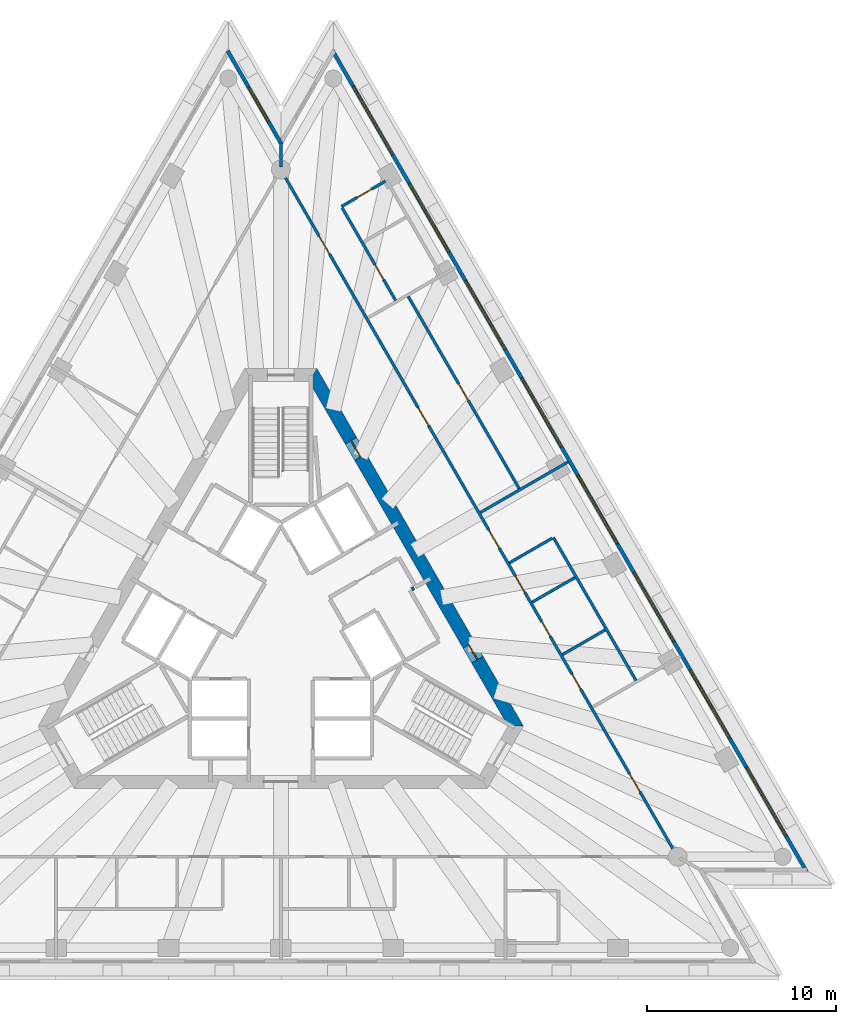
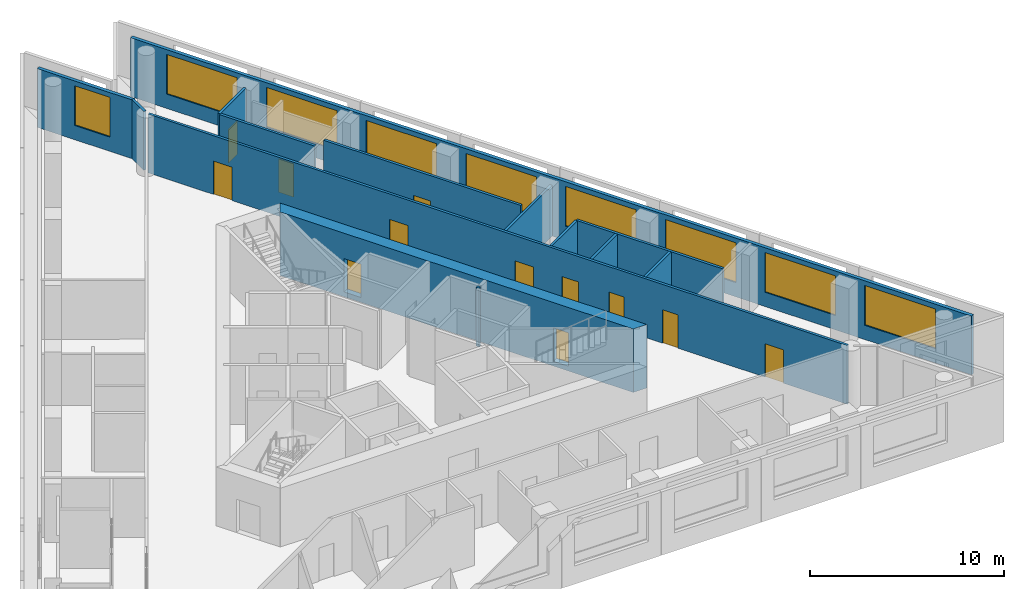
# One storey, part 6 of 9: 14 walls, 12 doors, 9 windows, 21 openings.
"""IFC4 building model written with IfcOpenShell, lengths in metres."""

from ifc_helpers import new_model, si_unit, direction, frame, frame_2d, origin, place, context, subcontext, project, spatial, polyline, rectangle, outline, extrude, material, layer, layer_set, layer_usage, type_object, element, fill, save


model = new_model("IFC4")

# Units and contexts
model_context = context("Model", 3, precision=1e-05, world=origin(), true_north=direction((0.0, 1.0)))
body_context = subcontext(model_context, "Body", "Model", "MODEL_VIEW")
ifc_project = project(units=[si_unit("LENGTHUNIT", "METRE"), si_unit("AREAUNIT", "SQUARE_METRE"), si_unit("VOLUMEUNIT", "CUBIC_METRE"), si_unit("PLANEANGLEUNIT", "RADIAN"), si_unit("MASSUNIT", "GRAM", prefix="KILO")], contexts=[model_context])

# Site, building, storey
site_placement = place(None, origin())
site = spatial("IfcSite", under=ifc_project, at=site_placement, CompositionType="ELEMENT")
building_placement = place(site_placement, origin())
building = spatial("IfcBuilding", under=site, at=building_placement, Name="Triada Interchange Tower", CompositionType="ELEMENT")
storey_placement = place(building_placement, frame((0.0, 0.0, 235.300048828125)))
storey = spatial("IfcBuildingStorey", under=building, at=storey_placement, Name="L55", CompositionType="ELEMENT", Elevation=235.300048828125)

# Wall
ifc_material_1 = material(Name="Concrete C30/37", Category="concrete")
ifc_layer_1 = layer(ifc_material_1, 0.199951171875)
ifc_layer_set_1 = layer_set([ifc_layer_1], Name="CORE WALL 200 EI 90")
wall_type_1 = type_object("IfcWallType", Name="CORE WALL 200 EI 90", PredefinedType="SOLIDWALL", material=ifc_layer_set_1)
wall_1_placement = place(storey_placement, frame((6.912109375, 2.028076171875, 0.0), z_axis=(0.0, 0.0, 1.0), x_axis=(0.866559367082, 0.499074005857, 0.0)))
element("IfcWall", 1, at=wall_1_placement, inside=storey, type_object=wall_type_1, Name="Wall L53 86", PredefinedType="SOLIDWALL", context=body_context, shape_type="SweptSolid", body=[
    extrude(rectangle(XDim=0.152099609375, YDim=0.199951171875, at=frame_2d((0.076171875, 0.0))), origin(), (0.0, 0.0, 1.0), 3.699951171875),
])

# Wall, openings, doors
ifc_material_2 = material(Name="Concrete C50/60", Category="concrete")
ifc_layer_2 = layer(ifc_material_2, 0.699951171875)
ifc_layer_set_2 = layer_set([ifc_layer_2], Name="Core wall C 700")
wall_type_2 = type_object("IfcWallType", Name="Core wall C 700", PredefinedType="SHEAR", material=ifc_layer_set_2)
wall_2_placement = place(storey_placement, frame((12.4130859375, -5.199951171875, -0.300048828125), z_axis=(0.0, 0.0, 1.0), x_axis=(-0.500011533395, 0.866018744874, 0.0)))
wall_2 = element("IfcWall", 2, at=wall_2_placement, inside=storey, type_object=wall_type_2, Name="Core wall WC06 L55", PredefinedType="SHEAR", context=body_context, shape_type="SweptSolid", body=[
    extrude(outline(polyline([(-0.201904296875, -0.35009765625), (1.781982421875, -0.35009765625), (3.76611328125, -0.35009765625), (5.75, -0.35009765625), (7.734130859375, -0.35009765625), (9.718017578125, -0.35009765625), (11.7021484375, -0.35009765625), (13.68603515625, -0.35009765625), (15.670166015625, -0.35009765625), (17.654052734375, -0.35009765625), (19.63818359375, -0.35009765625), (21.6220703125, -0.35009765625), (21.218017578125, 0.35009765625), (19.307373046875, 0.35009765625), (17.39697265625, 0.35009765625), (15.486328125, 0.35009765625), (13.57568359375, 0.35009765625), (11.665283203125, 0.35009765625), (9.754638671875, 0.35009765625), (7.84423828125, 0.35009765625), (5.93359375, 0.35009765625), (4.02294921875, 0.35009765625), (2.112548828125, 0.35009765625), (0.201904296875, 0.35009765625), (-0.201904296875, -0.35009765625)])), origin(), (0.0, 0.0, 1.0), 4.0),
])
opening_1_placement = place(wall_2_placement, frame((4.054931640625, 0.0, 0.300048828125)))
opening_1 = element("IfcOpeningElement", 3, at=opening_1_placement, cuts=wall_2, Name="Opening D53-45", PredefinedType="OPENING", context=body_context, shape_type="SweptSolid", body=[
    extrude(rectangle(XDim=0.89990234375, YDim=2.10009765625, at=frame_2d((0.449951171875, 1.050048828125))), frame((0.0, 0.360107421875, 0.0), z_axis=(0.0, -1.0, 0.0), x_axis=(1.0, 0.0, 0.0)), (0.0, 0.0, 1.0), 0.72021484375),
])
opening_2_placement = place(wall_2_placement, frame((16.4150390625, 0.0, 0.300048828125)))
opening_2 = element("IfcOpeningElement", 4, at=opening_2_placement, cuts=wall_2, Name="Opening D53-47", PredefinedType="OPENING", context=body_context, shape_type="SweptSolid", body=[
    extrude(rectangle(XDim=1.0, YDim=2.10009765625, at=frame_2d((0.5, 1.050048828125))), frame((0.0, 0.360107421875, 0.0), z_axis=(0.0, -1.0, 0.0), x_axis=(1.0, 0.0, 0.0)), (0.0, 0.0, 1.0), 0.72021484375),
])
ifc_material_3 = material(Name="Steel S235 door leaf", Category="steel")
door_type_1 = type_object("IfcDoorType", Name="SERVICE DOOR 1000 EI2 45-C5S200", OperationType="NOTDEFINED", PredefinedType="DOOR", material=ifc_material_3)
door_1_placement = place(opening_2_placement, origin())
door_1 = element("IfcDoor", 5, at=door_1_placement, inside=storey, type_object=door_type_1, Name="Door D53-47 L55", OperationType="SINGLE_SWING_RIGHT", OverallHeight=2.10009765625, OverallWidth=1.0, PredefinedType="DOOR", context=body_context, shape_type="SweptSolid", body=[
    extrude(rectangle(XDim=1.0, YDim=2.10009765625, at=frame_2d((0.5, 1.050048828125))), frame((0.0, 0.02490234375, 0.0), z_axis=(0.0, -1.0, 0.0), x_axis=(1.0, 0.0, 0.0)), (0.0, 0.0, 1.0), 0.050048828125),
])
fill(opening_2, door_1)
door_type_2 = type_object("IfcDoorType", Name="SERVICE DOOR 900 EI2 45-C5S200", OperationType="NOTDEFINED", PredefinedType="DOOR", material=ifc_material_3)
door_2_placement = place(opening_1_placement, origin())
door_2 = element("IfcDoor", 6, at=door_2_placement, inside=storey, type_object=door_type_2, Name="Door D53-45 L55", OperationType="SINGLE_SWING_RIGHT", OverallHeight=2.10009765625, OverallWidth=0.89990234375, PredefinedType="DOOR", context=body_context, shape_type="SweptSolid", body=[
    extrude(rectangle(XDim=0.89990234375, YDim=2.10009765625, at=frame_2d((0.449951171875, 1.050048828125))), frame((0.0, 0.02490234375, 0.0), z_axis=(0.0, -1.0, 0.0), x_axis=(1.0, 0.0, 0.0)), (0.0, 0.0, 1.0), 0.050048828125),
])
fill(opening_1, door_2)

# Wall, openings, windows
ifc_material_4 = material(Name="Cement board")
ifc_layer_3 = layer(ifc_material_4, 0.02001953125, Name="Cement board cladding")
ifc_material_5 = material(Name="Sheathing board")
ifc_layer_4 = layer(ifc_material_5, 0.014892578125, Name="Sheathing board")
ifc_material_6 = material(Name="Mineral wool")
ifc_layer_5 = layer(ifc_material_6, 0.14990234375, Name="Mineral wool between steel studs")
ifc_material_7 = material(Name="Gypsum board")
ifc_layer_6 = layer(ifc_material_7, 0.014892578125, Name="Plasterboard lining")
ifc_layer_set_3 = layer_set([ifc_layer_3, ifc_layer_4, ifc_layer_5, ifc_layer_6], Name="External wall 200")
ifc_layer_usage = layer_usage(ifc_layer_set_3, "AXIS2", "POSITIVE", -0.10009765625)
wall_type_3 = type_object("IfcWallType", Name="External wall 200", PredefinedType="ELEMENTEDWALL", material=ifc_layer_set_3)
wall_3_placement = place(storey_placement, frame((27.781982421875, -12.884033203125, 0.0), z_axis=(0.0, 0.0, 1.0), x_axis=(-0.500023345841, 0.866011924637, 0.0)))
wall_3 = element("IfcWall", 7, at=wall_3_placement, inside=storey, type_object=wall_type_3, material=ifc_layer_usage, Name="External wall L55 NE", PredefinedType="ELEMENTEDWALL", context=body_context, shape_type="SweptSolid", body=[
    extrude(rectangle(XDim=50.07763671875, YDim=0.199951171875, at=frame_2d((25.038818359375, 0.0))), origin(), (0.0, 0.0, 1.0), 3.699951171875),
])
opening_3_placement = place(wall_3_placement, frame((2.1708984375, 0.0, 0.89990234375)))
opening_3 = element("IfcOpeningElement", 8, at=opening_3_placement, cuts=wall_3, Name="Opening WC21", PredefinedType="OPENING", context=body_context, shape_type="SweptSolid", body=[
    extrude(rectangle(XDim=4.199951171875, YDim=2.5, at=frame_2d((2.10009765625, 1.25))), frame((0.0, 0.10986328125, 0.0), z_axis=(0.0, -1.0, 0.0), x_axis=(1.0, 0.0, 0.0)), (0.0, 0.0, 1.0), 0.219970703125),
])
opening_4_placement = place(wall_3_placement, frame((8.10791015625, 0.0, 0.89990234375)))
opening_4 = element("IfcOpeningElement", 9, at=opening_4_placement, cuts=wall_3, Name="Opening WC22", PredefinedType="OPENING", context=body_context, shape_type="SweptSolid", body=[
    extrude(rectangle(XDim=4.199951171875, YDim=2.5, at=frame_2d((2.10009765625, 1.25))), frame((0.0, 0.10986328125, 0.0), z_axis=(0.0, -1.0, 0.0), x_axis=(1.0, 0.0, 0.0)), (0.0, 0.0, 1.0), 0.219970703125),
])
opening_5_placement = place(wall_3_placement, frame((14.0439453125, 0.0, 0.89990234375)))
opening_5 = element("IfcOpeningElement", 10, at=opening_5_placement, cuts=wall_3, Name="Opening WC23", PredefinedType="OPENING", context=body_context, shape_type="SweptSolid", body=[
    extrude(rectangle(XDim=4.199951171875, YDim=2.5, at=frame_2d((2.10009765625, 1.25))), frame((0.0, 0.10986328125, 0.0), z_axis=(0.0, -1.0, 0.0), x_axis=(1.0, 0.0, 0.0)), (0.0, 0.0, 1.0), 0.219970703125),
])
opening_6_placement = place(wall_3_placement, frame((19.98095703125, 0.0, 0.89990234375)))
opening_6 = element("IfcOpeningElement", 11, at=opening_6_placement, cuts=wall_3, Name="Opening WC24", PredefinedType="OPENING", context=body_context, shape_type="SweptSolid", body=[
    extrude(rectangle(XDim=4.199951171875, YDim=2.5, at=frame_2d((2.10009765625, 1.25))), frame((0.0, 0.10986328125, 0.0), z_axis=(0.0, -1.0, 0.0), x_axis=(1.0, 0.0, 0.0)), (0.0, 0.0, 1.0), 0.219970703125),
])
opening_7_placement = place(wall_3_placement, frame((25.9169921875, 0.0, 0.89990234375)))
opening_7 = element("IfcOpeningElement", 12, at=opening_7_placement, cuts=wall_3, Name="Opening WC25", PredefinedType="OPENING", context=body_context, shape_type="SweptSolid", body=[
    extrude(rectangle(XDim=4.199951171875, YDim=2.5, at=frame_2d((2.10009765625, 1.25))), frame((0.0, 0.10986328125, 0.0), z_axis=(0.0, -1.0, 0.0), x_axis=(1.0, 0.0, 0.0)), (0.0, 0.0, 1.0), 0.219970703125),
])
opening_8_placement = place(wall_3_placement, frame((31.85400390625, 0.0, 0.89990234375)))
opening_8 = element("IfcOpeningElement", 13, at=opening_8_placement, cuts=wall_3, Name="Opening WC26", PredefinedType="OPENING", context=body_context, shape_type="SweptSolid", body=[
    extrude(rectangle(XDim=4.199951171875, YDim=2.5, at=frame_2d((2.10009765625, 1.25))), frame((0.0, 0.10986328125, 0.0), z_axis=(0.0, -1.0, 0.0), x_axis=(1.0, 0.0, 0.0)), (0.0, 0.0, 1.0), 0.219970703125),
])
opening_9_placement = place(wall_3_placement, frame((37.7900390625, 0.0, 0.89990234375)))
opening_9 = element("IfcOpeningElement", 14, at=opening_9_placement, cuts=wall_3, Name="Opening WC27", PredefinedType="OPENING", context=body_context, shape_type="SweptSolid", body=[
    extrude(rectangle(XDim=4.199951171875, YDim=2.5, at=frame_2d((2.10009765625, 1.25))), frame((0.0, 0.10986328125, 0.0), z_axis=(0.0, -1.0, 0.0), x_axis=(1.0, 0.0, 0.0)), (0.0, 0.0, 1.0), 0.219970703125),
])
opening_10_placement = place(wall_3_placement, frame((43.72705078125, 0.0, 0.89990234375)))
opening_10 = element("IfcOpeningElement", 15, at=opening_10_placement, cuts=wall_3, Name="Opening WC28", PredefinedType="OPENING", context=body_context, shape_type="SweptSolid", body=[
    extrude(rectangle(XDim=4.199951171875, YDim=2.5, at=frame_2d((2.10009765625, 1.25))), frame((0.0, 0.10986328125, 0.0), z_axis=(0.0, -1.0, 0.0), x_axis=(1.0, 0.0, 0.0)), (0.0, 0.0, 1.0), 0.219970703125),
])
ifc_material_8 = material(Name="Double glazed aluminium window", Category="aluminium")
window_type_1 = type_object("IfcWindowType", Name="Ribbon window C face", PartitioningType="SINGLE_PANEL", PredefinedType="WINDOW", material=ifc_material_8)
window_1_placement = place(opening_3_placement, origin())
window_1 = element("IfcWindow", 16, at=window_1_placement, inside=storey, type_object=window_type_1, Name="Window L55 NE 1", OverallHeight=2.5, OverallWidth=4.199951171875, PartitioningType="SINGLE_PANEL", PredefinedType="WINDOW", context=body_context, shape_type="SweptSolid", body=[
    extrude(rectangle(XDim=4.199951171875, YDim=2.5, at=frame_2d((2.10009765625, 1.25))), frame((0.0, 0.030029296875, 0.0), z_axis=(0.0, -1.0, 0.0), x_axis=(1.0, 0.0, 0.0)), (0.0, 0.0, 1.0), 0.06005859375),
])
fill(opening_3, window_1)
window_2_placement = place(opening_4_placement, origin())
window_2 = element("IfcWindow", 17, at=window_2_placement, inside=storey, type_object=window_type_1, Name="Window L55 NE 2", OverallHeight=2.5, OverallWidth=4.199951171875, PartitioningType="SINGLE_PANEL", PredefinedType="WINDOW", context=body_context, shape_type="SweptSolid", body=[
    extrude(rectangle(XDim=4.199951171875, YDim=2.5, at=frame_2d((2.10009765625, 1.25))), frame((0.0, 0.030029296875, 0.0), z_axis=(0.0, -1.0, 0.0), x_axis=(1.0, 0.0, 0.0)), (0.0, 0.0, 1.0), 0.06005859375),
])
fill(opening_4, window_2)
window_3_placement = place(opening_5_placement, origin())
window_3 = element("IfcWindow", 18, at=window_3_placement, inside=storey, type_object=window_type_1, Name="Window L55 NE 3", OverallHeight=2.5, OverallWidth=4.199951171875, PartitioningType="SINGLE_PANEL", PredefinedType="WINDOW", context=body_context, shape_type="SweptSolid", body=[
    extrude(rectangle(XDim=4.199951171875, YDim=2.5, at=frame_2d((2.10009765625, 1.25))), frame((0.0, 0.030029296875, 0.0), z_axis=(0.0, -1.0, 0.0), x_axis=(1.0, 0.0, 0.0)), (0.0, 0.0, 1.0), 0.06005859375),
])
fill(opening_5, window_3)
window_4_placement = place(opening_6_placement, origin())
window_4 = element("IfcWindow", 19, at=window_4_placement, inside=storey, type_object=window_type_1, Name="Window L55 NE 4", OverallHeight=2.5, OverallWidth=4.199951171875, PartitioningType="SINGLE_PANEL", PredefinedType="WINDOW", context=body_context, shape_type="SweptSolid", body=[
    extrude(rectangle(XDim=4.199951171875, YDim=2.5, at=frame_2d((2.10009765625, 1.25))), frame((0.0, 0.030029296875, 0.0), z_axis=(0.0, -1.0, 0.0), x_axis=(1.0, 0.0, 0.0)), (0.0, 0.0, 1.0), 0.06005859375),
])
fill(opening_6, window_4)
window_5_placement = place(opening_7_placement, origin())
window_5 = element("IfcWindow", 20, at=window_5_placement, inside=storey, type_object=window_type_1, Name="Window L55 NE 5", OverallHeight=2.5, OverallWidth=4.199951171875, PartitioningType="SINGLE_PANEL", PredefinedType="WINDOW", context=body_context, shape_type="SweptSolid", body=[
    extrude(rectangle(XDim=4.199951171875, YDim=2.5, at=frame_2d((2.10009765625, 1.25))), frame((0.0, 0.030029296875, 0.0), z_axis=(0.0, -1.0, 0.0), x_axis=(1.0, 0.0, 0.0)), (0.0, 0.0, 1.0), 0.06005859375),
])
fill(opening_7, window_5)
window_6_placement = place(opening_8_placement, origin())
window_6 = element("IfcWindow", 21, at=window_6_placement, inside=storey, type_object=window_type_1, Name="Window L55 NE 6", OverallHeight=2.5, OverallWidth=4.199951171875, PartitioningType="SINGLE_PANEL", PredefinedType="WINDOW", context=body_context, shape_type="SweptSolid", body=[
    extrude(rectangle(XDim=4.199951171875, YDim=2.5, at=frame_2d((2.10009765625, 1.25))), frame((0.0, 0.030029296875, 0.0), z_axis=(0.0, -1.0, 0.0), x_axis=(1.0, 0.0, 0.0)), (0.0, 0.0, 1.0), 0.06005859375),
])
fill(opening_8, window_6)
window_7_placement = place(opening_9_placement, origin())
window_7 = element("IfcWindow", 22, at=window_7_placement, inside=storey, type_object=window_type_1, Name="Window L55 NE 7", OverallHeight=2.5, OverallWidth=4.199951171875, PartitioningType="SINGLE_PANEL", PredefinedType="WINDOW", context=body_context, shape_type="SweptSolid", body=[
    extrude(rectangle(XDim=4.199951171875, YDim=2.5, at=frame_2d((2.10009765625, 1.25))), frame((0.0, 0.030029296875, 0.0), z_axis=(0.0, -1.0, 0.0), x_axis=(1.0, 0.0, 0.0)), (0.0, 0.0, 1.0), 0.06005859375),
])
fill(opening_9, window_7)
window_8_placement = place(opening_10_placement, origin())
window_8 = element("IfcWindow", 23, at=window_8_placement, inside=storey, type_object=window_type_1, Name="Window L55 NE 8", OverallHeight=2.5, OverallWidth=4.199951171875, PartitioningType="SINGLE_PANEL", PredefinedType="WINDOW", context=body_context, shape_type="SweptSolid", body=[
    extrude(rectangle(XDim=4.199951171875, YDim=2.5, at=frame_2d((2.10009765625, 1.25))), frame((0.0, 0.030029296875, 0.0), z_axis=(0.0, -1.0, 0.0), x_axis=(1.0, 0.0, 0.0)), (0.0, 0.0, 1.0), 0.06005859375),
])
fill(opening_10, window_8)

# Wall, opening, window
wall_4_placement = place(storey_placement, frame((0.044921875, 25.534912109375, 0.0), z_axis=(0.0, 0.0, 1.0), x_axis=(-0.49995298266, 0.866052547557, 0.0)))
wall_4 = element("IfcWall", 24, at=wall_4_placement, inside=storey, type_object=wall_type_3, material=ifc_layer_usage, Name="External wall L55 N-2", PredefinedType="ELEMENTEDWALL", context=body_context, shape_type="SweptSolid", body=[
    extrude(rectangle(XDim=5.71435546875, YDim=0.199951171875, at=frame_2d((2.857177734375, 0.0))), origin(), (0.0, 0.0, 1.0), 3.699951171875),
])
opening_11_placement = place(wall_4_placement, frame((1.389892578125, 0.0, 0.89990234375)))
opening_11 = element("IfcOpeningElement", 25, at=opening_11_placement, cuts=wall_4, Name="Opening WC30", PredefinedType="OPENING", context=body_context, shape_type="SweptSolid", body=[
    extrude(rectangle(XDim=2.10009765625, YDim=2.5, at=frame_2d((1.050048828125, 1.25))), frame((0.0, 0.10986328125, 0.0), z_axis=(0.0, -1.0, 0.0), x_axis=(1.0, 0.0, 0.0)), (0.0, 0.0, 1.0), 0.219970703125),
])
window_type_2 = type_object("IfcWindowType", Name="Ribbon window C pocket", PartitioningType="SINGLE_PANEL", PredefinedType="WINDOW", material=ifc_material_8)
window_9_placement = place(opening_11_placement, origin())
window_9 = element("IfcWindow", 26, at=window_9_placement, inside=storey, type_object=window_type_2, Name="Window L55 N-2 1", OverallHeight=2.5, OverallWidth=2.10009765625, PartitioningType="SINGLE_PANEL", PredefinedType="WINDOW", context=body_context, shape_type="SweptSolid", body=[
    extrude(rectangle(XDim=2.10009765625, YDim=2.5, at=frame_2d((1.050048828125, 1.25))), frame((0.0, 0.030029296875, 0.0), z_axis=(0.0, -1.0, 0.0), x_axis=(1.0, 0.0, 0.0)), (0.0, 0.0, 1.0), 0.06005859375),
])
fill(opening_11, window_9)

# Walls
ifc_material_9 = material(Name="Gypsum board partition")
ifc_layer_7 = layer(ifc_material_9, 0.14990234375)
ifc_layer_set_4 = layer_set([ifc_layer_7], Name="PARTITION 150 EI 180")
wall_type_4 = type_object("IfcWallType", Name="PARTITION 150 EI 180", PredefinedType="PARTITIONING", material=ifc_layer_set_4)
wall_5_placement = place(storey_placement, frame((10.5439453125, 6.0869140625, 0.0), z_axis=(0.0, 0.0, 1.0), x_axis=(0.866032438121, 0.499987815973, 0.0)))
element("IfcWall", 27, at=wall_5_placement, inside=storey, type_object=wall_type_4, Name="Wall L53 2", PredefinedType="PARTITIONING", context=body_context, shape_type="SweptSolid", body=[
    extrude(rectangle(XDim=5.362548828125, YDim=0.14990234375, at=frame_2d((2.68115234375, 0.0))), origin(), (0.0, 0.0, 1.0), 3.199951171875),
])
wall_6_placement = place(storey_placement, frame((0.0, 24.35009765625, 0.0), z_axis=(0.0, 0.0, 1.0), x_axis=(0.0, 1.0, 0.0)))
element("IfcWall", 28, at=wall_6_placement, inside=storey, type_object=wall_type_4, Name="Wall L53 19", PredefinedType="PARTITIONING", context=body_context, shape_type="SweptSolid", body=[
    extrude(rectangle(XDim=1.262939453125, YDim=0.14990234375, at=frame_2d((0.63134765625, 0.0))), origin(), (0.0, 0.0, 1.0), 3.699951171875),
])

# Wall, openings, doors
wall_7_placement = place(storey_placement, frame((0.074951171875, 24.070068359375, 0.0), z_axis=(0.0, 0.0, 1.0), x_axis=(0.49999939571, -0.866025752671, 0.0)))
wall_7 = element("IfcWall", 29, at=wall_7_placement, inside=storey, type_object=wall_type_4, Name="Wall L53 20", PredefinedType="PARTITIONING", context=body_context, shape_type="SweptSolid", body=[
    extrude(rectangle(XDim=41.6142578125, YDim=0.14990234375, at=frame_2d((20.80712890625, 0.0))), origin(), (0.0, 0.0, 1.0), 3.699951171875),
])
opening_12_placement = place(wall_7_placement, frame((36.714111328125, 0.0, 0.0)))
opening_12 = element("IfcOpeningElement", 30, at=opening_12_placement, cuts=wall_7, Name="Opening D53-21", PredefinedType="OPENING", context=body_context, shape_type="SweptSolid", body=[
    extrude(rectangle(XDim=1.10009765625, YDim=2.10009765625, at=frame_2d((0.550048828125, 1.050048828125))), frame((0.0, 0.0849609375, 0.0), z_axis=(0.0, -1.0, 0.0), x_axis=(1.0, 0.0, 0.0)), (0.0, 0.0, 1.0), 0.169921875),
])
opening_13_placement = place(wall_7_placement, frame((21.8310546875, 0.0, 0.0)))
opening_13 = element("IfcOpeningElement", 31, at=opening_13_placement, cuts=wall_7, Name="Opening D53-22", PredefinedType="OPENING", context=body_context, shape_type="SweptSolid", body=[
    extrude(rectangle(XDim=1.10009765625, YDim=2.10009765625, at=frame_2d((0.550048828125, 1.050048828125))), frame((0.0, 0.0849609375, 0.0), z_axis=(0.0, -1.0, 0.0), x_axis=(1.0, 0.0, 0.0)), (0.0, 0.0, 1.0), 0.169921875),
])
opening_14_placement = place(wall_7_placement, frame((30.631103515625, 0.0, 0.0)))
opening_14 = element("IfcOpeningElement", 32, at=opening_14_placement, cuts=wall_7, Name="Opening D53-23", PredefinedType="OPENING", context=body_context, shape_type="SweptSolid", body=[
    extrude(rectangle(XDim=0.89990234375, YDim=2.10009765625, at=frame_2d((0.449951171875, 1.050048828125))), frame((0.0, 0.0849609375, 0.0), z_axis=(0.0, -1.0, 0.0), x_axis=(1.0, 0.0, 0.0)), (0.0, 0.0, 1.0), 0.169921875),
])
opening_15_placement = place(wall_7_placement, frame((27.430908203125, 0.0, 0.0)))
opening_15 = element("IfcOpeningElement", 33, at=opening_15_placement, cuts=wall_7, Name="Opening D53-24", PredefinedType="OPENING", context=body_context, shape_type="SweptSolid", body=[
    extrude(rectangle(XDim=0.89990234375, YDim=2.10009765625, at=frame_2d((0.449951171875, 1.050048828125))), frame((0.0, 0.0849609375, 0.0), z_axis=(0.0, -1.0, 0.0), x_axis=(1.0, 0.0, 0.0)), (0.0, 0.0, 1.0), 0.169921875),
])
opening_16_placement = place(wall_7_placement, frame((24.631103515625, 0.0, 0.0)))
opening_16 = element("IfcOpeningElement", 34, at=opening_16_placement, cuts=wall_7, Name="Opening D53-25", PredefinedType="OPENING", context=body_context, shape_type="SweptSolid", body=[
    extrude(rectangle(XDim=1.0, YDim=2.10009765625, at=frame_2d((0.5, 1.050048828125))), frame((0.0, 0.0849609375, 0.0), z_axis=(0.0, -1.0, 0.0), x_axis=(1.0, 0.0, 0.0)), (0.0, 0.0, 1.0), 0.169921875),
])
opening_17_placement = place(wall_7_placement, frame((14.35791015625, 0.0, 0.0)))
opening_17 = element("IfcOpeningElement", 35, at=opening_17_placement, cuts=wall_7, Name="Opening D53-26", PredefinedType="OPENING", context=body_context, shape_type="SweptSolid", body=[
    extrude(rectangle(XDim=1.10009765625, YDim=2.10009765625, at=frame_2d((0.550048828125, 1.050048828125))), frame((0.0, 0.0849609375, 0.0), z_axis=(0.0, -1.0, 0.0), x_axis=(1.0, 0.0, 0.0)), (0.0, 0.0, 1.0), 0.169921875),
])
opening_18_placement = place(wall_7_placement, frame((3.885009765625, 0.0, 0.0)))
opening_18 = element("IfcOpeningElement", 36, at=opening_18_placement, cuts=wall_7, Name="Opening D53-28", PredefinedType="OPENING", context=body_context, shape_type="SweptSolid", body=[
    extrude(rectangle(XDim=1.10009765625, YDim=2.10009765625, at=frame_2d((0.550048828125, 1.050048828125))), frame((0.0, 0.0849609375, 0.0), z_axis=(0.0, -1.0, 0.0), x_axis=(1.0, 0.0, 0.0)), (0.0, 0.0, 1.0), 0.169921875),
])
door_type_3 = type_object("IfcDoorType", Name="ROOM DOOR 1000 EI2 90-C5S200", OperationType="NOTDEFINED", PredefinedType="DOOR", material=ifc_material_3)
door_3_placement = place(opening_16_placement, origin())
door_3 = element("IfcDoor", 37, at=door_3_placement, inside=storey, type_object=door_type_3, Name="Door D53-25 L55", OperationType="SINGLE_SWING_LEFT", OverallHeight=2.10009765625, OverallWidth=1.0, PredefinedType="DOOR", context=body_context, shape_type="SweptSolid", body=[
    extrude(rectangle(XDim=1.0, YDim=2.10009765625, at=frame_2d((0.5, 1.050048828125))), frame((0.0, 0.02490234375, 0.0), z_axis=(0.0, -1.0, 0.0), x_axis=(1.0, 0.0, 0.0)), (0.0, 0.0, 1.0), 0.050048828125),
])
fill(opening_16, door_3)
door_type_4 = type_object("IfcDoorType", Name="ROOM DOOR 900 EI2 90-C5S200", OperationType="NOTDEFINED", PredefinedType="DOOR", material=ifc_material_3)
door_4_placement = place(opening_14_placement, origin())
door_4 = element("IfcDoor", 38, at=door_4_placement, inside=storey, type_object=door_type_4, Name="Door D53-23 L55", OperationType="SINGLE_SWING_RIGHT", OverallHeight=2.10009765625, OverallWidth=0.89990234375, PredefinedType="DOOR", context=body_context, shape_type="SweptSolid", body=[
    extrude(rectangle(XDim=0.89990234375, YDim=2.10009765625, at=frame_2d((0.449951171875, 1.050048828125))), frame((0.0, 0.02490234375, 0.0), z_axis=(0.0, -1.0, 0.0), x_axis=(1.0, 0.0, 0.0)), (0.0, 0.0, 1.0), 0.050048828125),
])
fill(opening_14, door_4)
door_5_placement = place(opening_15_placement, origin())
door_5 = element("IfcDoor", 39, at=door_5_placement, inside=storey, type_object=door_type_4, Name="Door D53-24 L55", OperationType="SINGLE_SWING_RIGHT", OverallHeight=2.10009765625, OverallWidth=0.89990234375, PredefinedType="DOOR", context=body_context, shape_type="SweptSolid", body=[
    extrude(rectangle(XDim=0.89990234375, YDim=2.10009765625, at=frame_2d((0.449951171875, 1.050048828125))), frame((0.0, 0.02490234375, 0.0), z_axis=(0.0, -1.0, 0.0), x_axis=(1.0, 0.0, 0.0)), (0.0, 0.0, 1.0), 0.050048828125),
])
fill(opening_15, door_5)
door_type_5 = type_object("IfcDoorType", Name="TENANCY ENTRANCE DOOR 1100 EI2 90-C5S200", OperationType="NOTDEFINED", PredefinedType="DOOR", material=ifc_material_3)
door_6_placement = place(opening_12_placement, origin())
door_6 = element("IfcDoor", 40, at=door_6_placement, inside=storey, type_object=door_type_5, Name="Door D53-21 L55", OperationType="SINGLE_SWING_RIGHT", OverallHeight=2.10009765625, OverallWidth=1.10009765625, PredefinedType="DOOR", context=body_context, shape_type="SweptSolid", body=[
    extrude(rectangle(XDim=1.10009765625, YDim=2.10009765625, at=frame_2d((0.550048828125, 1.050048828125))), frame((0.0, 0.02490234375, 0.0), z_axis=(0.0, -1.0, 0.0), x_axis=(1.0, 0.0, 0.0)), (0.0, 0.0, 1.0), 0.050048828125),
])
fill(opening_12, door_6)
door_7_placement = place(opening_13_placement, origin())
door_7 = element("IfcDoor", 41, at=door_7_placement, inside=storey, type_object=door_type_5, Name="Door D53-22 L55", OperationType="SINGLE_SWING_LEFT", OverallHeight=2.10009765625, OverallWidth=1.10009765625, PredefinedType="DOOR", context=body_context, shape_type="SweptSolid", body=[
    extrude(rectangle(XDim=1.10009765625, YDim=2.10009765625, at=frame_2d((0.550048828125, 1.050048828125))), frame((0.0, 0.02490234375, 0.0), z_axis=(0.0, -1.0, 0.0), x_axis=(1.0, 0.0, 0.0)), (0.0, 0.0, 1.0), 0.050048828125),
])
fill(opening_13, door_7)
door_8_placement = place(opening_17_placement, origin())
door_8 = element("IfcDoor", 42, at=door_8_placement, inside=storey, type_object=door_type_5, Name="Door D53-26 L55", OperationType="SINGLE_SWING_LEFT", OverallHeight=2.10009765625, OverallWidth=1.10009765625, PredefinedType="DOOR", context=body_context, shape_type="SweptSolid", body=[
    extrude(rectangle(XDim=1.10009765625, YDim=2.10009765625, at=frame_2d((0.550048828125, 1.050048828125))), frame((0.0, 0.02490234375, 0.0), z_axis=(0.0, -1.0, 0.0), x_axis=(1.0, 0.0, 0.0)), (0.0, 0.0, 1.0), 0.050048828125),
])
fill(opening_17, door_8)
door_9_placement = place(opening_18_placement, origin())
door_9 = element("IfcDoor", 43, at=door_9_placement, inside=storey, type_object=door_type_5, Name="Door D53-28 L55", OperationType="SINGLE_SWING_LEFT", OverallHeight=2.10009765625, OverallWidth=1.10009765625, PredefinedType="DOOR", context=body_context, shape_type="SweptSolid", body=[
    extrude(rectangle(XDim=1.10009765625, YDim=2.10009765625, at=frame_2d((0.550048828125, 1.050048828125))), frame((0.0, 0.02490234375, 0.0), z_axis=(0.0, -1.0, 0.0), x_axis=(1.0, 0.0, 0.0)), (0.0, 0.0, 1.0), 0.050048828125),
])
fill(opening_18, door_9)

# Walls
wall_8_placement = place(storey_placement, frame((14.404052734375, 4.76806640625, 0.0), z_axis=(0.0, 0.0, 1.0), x_axis=(0.500042162787, -0.86600105972, 0.0)))
element("IfcWall", 44, at=wall_8_placement, inside=storey, type_object=wall_type_4, Name="Wall L53 25", PredefinedType="PARTITIONING", context=body_context, shape_type="SweptSolid", body=[
    extrude(rectangle(XDim=8.725341796875, YDim=0.14990234375, at=frame_2d((4.36279296875, 0.0))), origin(), (0.0, 0.0, 1.0), 3.699951171875),
])
for number, where, z_axis, x_axis, name in (
    (45, (12.080078125, 3.426025390625, 0.0), (0.0, 0.0, 1.0), (0.8660749285, 0.499914210863, 0.0), "Wall L53 26"),
    (46, (13.280029296875, 1.347900390625, 0.0), (0.0, 0.0, 1.0), (0.866034402474, 0.499984413489, 0.0), "Wall L53 27"),
):
    element("IfcWall", number, at=place(storey_placement, frame(where, z_axis=z_axis, x_axis=x_axis)), inside=storey, type_object=wall_type_4, Name=name, PredefinedType="PARTITIONING", context=body_context, shape_type="SweptSolid", body=[
        extrude(rectangle(XDim=2.6083984375, YDim=0.14990234375, at=frame_2d((1.30419921875, 0.0))), origin(), (0.0, 0.0, 1.0), 3.699951171875),
    ])
wall_9_placement = place(storey_placement, frame((14.8798828125, -1.424072265625, 0.0), z_axis=(0.0, 0.0, 1.0), x_axis=(0.865872279416, 0.500265125447, 0.0)))
element("IfcWall", 47, at=wall_9_placement, inside=storey, type_object=wall_type_4, Name="Wall L53 28", PredefinedType="PARTITIONING", context=body_context, shape_type="SweptSolid", body=[
    extrude(rectangle(XDim=2.60888671875, YDim=0.14990234375, at=frame_2d((1.304443359375, 0.0))), origin(), (0.0, 0.0, 1.0), 3.699951171875),
])

# Wall, opening, door
ifc_layer_8 = layer(ifc_material_9, 0.14990234375)
ifc_layer_set_5 = layer_set([ifc_layer_8], Name="PARTITION 150 EI 90")
wall_type_5 = type_object("IfcWallType", Name="PARTITION 150 EI 90", PredefinedType="PARTITIONING", material=ifc_layer_set_5)
wall_10_placement = place(storey_placement, frame((3.200927734375, 22.2548828125, 0.0), z_axis=(0.0, 0.0, 1.0), x_axis=(0.865978018799, 0.500082064223, 0.0)))
wall_10 = element("IfcWall", 48, at=wall_10_placement, inside=storey, type_object=wall_type_5, Name="Wall L53 36", PredefinedType="PARTITIONING", context=body_context, shape_type="SweptSolid", body=[
    extrude(rectangle(XDim=2.68359375, YDim=0.14990234375, at=frame_2d((1.341796875, 0.0))), origin(), (0.0, 0.0, 1.0), 3.699951171875),
])
opening_19_placement = place(wall_10_placement, frame((0.949951171875, 0.0, 0.0)))
opening_19 = element("IfcOpeningElement", 49, at=opening_19_placement, cuts=wall_10, Name="Opening D53-30", PredefinedType="OPENING", context=body_context, shape_type="SweptSolid", body=[
    extrude(rectangle(XDim=0.89990234375, YDim=2.10009765625, at=frame_2d((0.449951171875, 1.050048828125))), frame((0.0, 0.0849609375, 0.0), z_axis=(0.0, -1.0, 0.0), x_axis=(1.0, 0.0, 0.0)), (0.0, 0.0, 1.0), 0.169921875),
])
door_10_placement = place(opening_19_placement, origin())
door_10 = element("IfcDoor", 50, at=door_10_placement, inside=storey, type_object=door_type_2, Name="Door D53-30 L55", OperationType="SINGLE_SWING_LEFT", OverallHeight=2.10009765625, OverallWidth=0.89990234375, PredefinedType="DOOR", context=body_context, shape_type="SweptSolid", body=[
    extrude(rectangle(XDim=0.89990234375, YDim=2.10009765625, at=frame_2d((0.449951171875, 1.050048828125))), frame((0.0, 0.02490234375, 0.0), z_axis=(0.0, -1.0, 0.0), x_axis=(1.0, 0.0, 0.0)), (0.0, 0.0, 1.0), 0.050048828125),
])
fill(opening_19, door_10)

wall_11_placement = place(storey_placement, frame((3.239013671875, 22.18994140625, 0.0), z_axis=(0.0, 0.0, 1.0), x_axis=(0.500010476433, -0.866019355129, 0.0)))
wall_11 = element("IfcWall", 51, at=wall_11_placement, inside=storey, type_object=wall_type_5, Name="Wall L53 37", PredefinedType="PARTITIONING", context=body_context, shape_type="SweptSolid", body=[
    extrude(rectangle(XDim=5.64990234375, YDim=0.14990234375, at=frame_2d((2.824951171875, 0.0))), origin(), (0.0, 0.0, 1.0), 3.699951171875),
])
opening_20_placement = place(wall_11_placement, frame((3.47412109375, 0.0, 0.0)))
opening_20 = element("IfcOpeningElement", 52, at=opening_20_placement, cuts=wall_11, Name="Opening D53-29", PredefinedType="OPENING", context=body_context, shape_type="SweptSolid", body=[
    extrude(rectangle(XDim=0.89990234375, YDim=2.10009765625, at=frame_2d((0.449951171875, 1.050048828125))), frame((0.0, 0.0849609375, 0.0), z_axis=(0.0, -1.0, 0.0), x_axis=(1.0, 0.0, 0.0)), (0.0, 0.0, 1.0), 0.169921875),
])
door_type_6 = type_object("IfcDoorType", Name="ROOM DOOR 900 EI2 45-C5S200", OperationType="NOTDEFINED", PredefinedType="DOOR", material=ifc_material_3)
door_11_placement = place(opening_20_placement, origin())
door_11 = element("IfcDoor", 53, at=door_11_placement, inside=storey, type_object=door_type_6, Name="Door D53-29 L55", OperationType="SINGLE_SWING_RIGHT", OverallHeight=2.10009765625, OverallWidth=0.89990234375, PredefinedType="DOOR", context=body_context, shape_type="SweptSolid", body=[
    extrude(rectangle(XDim=0.89990234375, YDim=2.10009765625, at=frame_2d((0.449951171875, 1.050048828125))), frame((0.0, 0.02490234375, 0.0), z_axis=(0.0, -1.0, 0.0), x_axis=(1.0, 0.0, 0.0)), (0.0, 0.0, 1.0), 0.050048828125),
])
fill(opening_20, door_11)

wall_12_placement = place(storey_placement, frame((6.72998046875, 17.509033203125, 0.0), z_axis=(0.0, 0.0, 1.0), x_axis=(0.500011469263, -0.866018781901, 0.0)))
wall_12 = element("IfcWall", 54, at=wall_12_placement, inside=storey, type_object=wall_type_5, Name="Wall L53 38", PredefinedType="PARTITIONING", context=body_context, shape_type="SweptSolid", body=[
    extrude(rectangle(XDim=11.723876953125, YDim=0.14990234375, at=frame_2d((5.86181640625, 0.0))), origin(), (0.0, 0.0, 1.0), 3.699951171875),
])
opening_21_placement = place(wall_12_placement, frame((5.34912109375, 0.0, 0.0)))
opening_21 = element("IfcOpeningElement", 55, at=opening_21_placement, cuts=wall_12, Name="Opening D53-27", PredefinedType="OPENING", context=body_context, shape_type="SweptSolid", body=[
    extrude(rectangle(XDim=1.0, YDim=2.10009765625, at=frame_2d((0.5, 1.050048828125))), frame((0.0, 0.0849609375, 0.0), z_axis=(0.0, -1.0, 0.0), x_axis=(1.0, 0.0, 0.0)), (0.0, 0.0, 1.0), 0.169921875),
])
door_type_7 = type_object("IfcDoorType", Name="ROOM DOOR 1000 EI2 45-C5S200", OperationType="NOTDEFINED", PredefinedType="DOOR", material=ifc_material_3)
door_12_placement = place(opening_21_placement, origin())
door_12 = element("IfcDoor", 56, at=door_12_placement, inside=storey, type_object=door_type_7, Name="Door D53-27 L55", OperationType="SINGLE_SWING_RIGHT", OverallHeight=2.10009765625, OverallWidth=1.0, PredefinedType="DOOR", context=body_context, shape_type="SweptSolid", body=[
    extrude(rectangle(XDim=1.0, YDim=2.10009765625, at=frame_2d((0.5, 1.050048828125))), frame((0.0, 0.02490234375, 0.0), z_axis=(0.0, -1.0, 0.0), x_axis=(1.0, 0.0, 0.0)), (0.0, 0.0, 1.0), 0.050048828125),
])
fill(opening_21, door_12)

save(model, "model.ifc")
